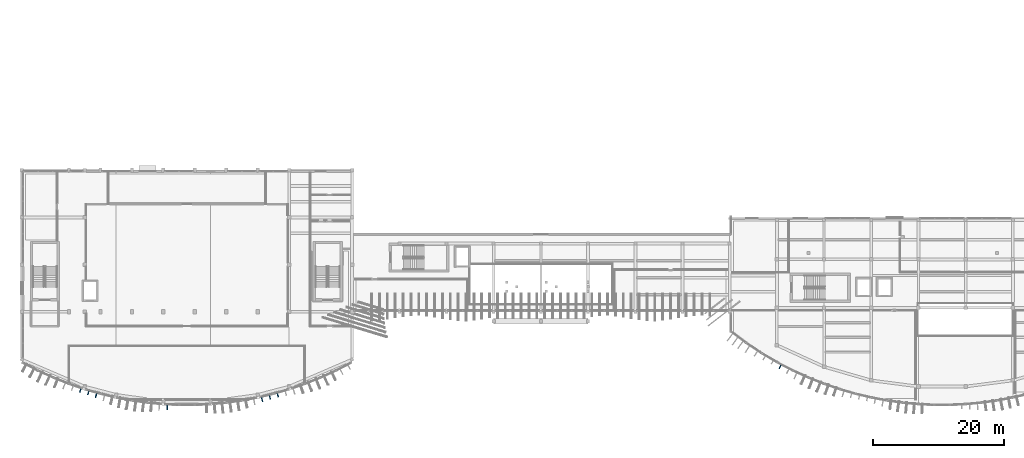
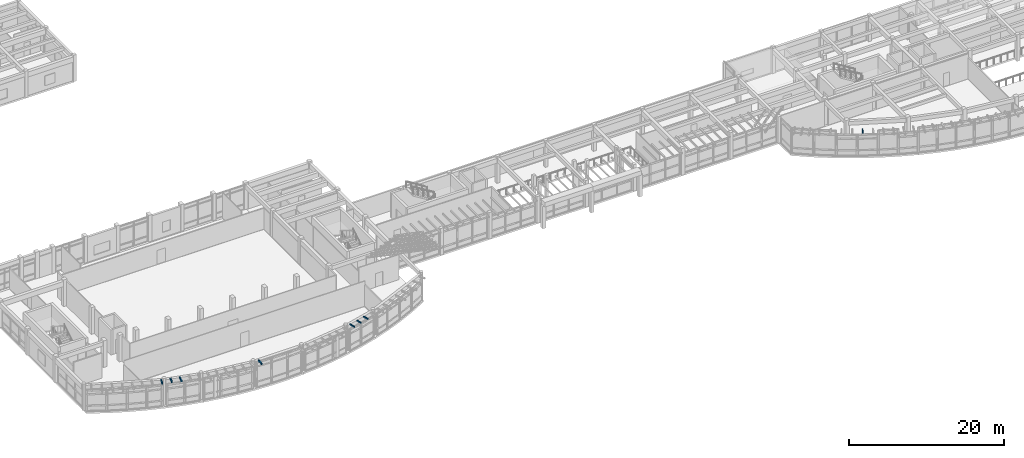
# One storey, part 47 of 60: 8 discrete accessories.
"""IFC4 building model written with IfcOpenShell, lengths in metres."""

from ifc_helpers import new_model, si_unit, direction, frame, origin, origin_2d, place, context, subcontext, project, spatial, rectangle, extrude, material, type_object, element, save


model = new_model("IFC4")

# Units and contexts
model_context = context("Model", 3, precision=1e-05, world=origin(), true_north=direction((0.0, 1.0)))
body_context = subcontext(model_context, "Body", "Model", "MODEL_VIEW")
ifc_project = project(units=[si_unit("LENGTHUNIT", "METRE"), si_unit("AREAUNIT", "SQUARE_METRE"), si_unit("VOLUMEUNIT", "CUBIC_METRE"), si_unit("PLANEANGLEUNIT", "RADIAN"), si_unit("MASSUNIT", "GRAM", prefix="KILO")], contexts=[model_context])

# Site, building, storey
site_placement = place(None, origin())
site = spatial("IfcSite", under=ifc_project, at=site_placement, CompositionType="ELEMENT")
building_placement = place(site_placement, origin())
building = spatial("IfcBuilding", under=site, at=building_placement, Name="Brisavento Harbour Community Centre", CompositionType="ELEMENT")
storey_placement = place(building_placement, frame((0.0, 0.0, 4.5)))
storey = spatial("IfcBuildingStorey", under=building, at=storey_placement, Name="L01", CompositionType="ELEMENT", Elevation=4.5)

# Discrete accessories
ifc_material = material(Name="Stainless steel 1.4401", Category="steel")
discrete_accessory_type = type_object("IfcDiscreteAccessoryType", Name="BRK-FIN-SS", PredefinedType="BRACKET", material=ifc_material)
discrete_accessory_1_placement = place(storey_placement, frame((8.96484375, 2.4970703125, 3.97998046875), z_axis=(0.0, 0.0, 1.0), x_axis=(-0.323174264667, -0.94633947115, 0.0)))
element("IfcDiscreteAccessory", 1, at=discrete_accessory_1_placement, inside=storey, type_object=discrete_accessory_type, Name="Stainless-steel storm-fin bracket 008.3", PredefinedType="BRACKET", context=body_context, shape_type="SweptSolid", body=[
    extrude(rectangle(XDim=0.817626953125, YDim=0.139892578125, at=origin_2d()), origin(), (0.0, 0.0, 1.0), 0.199951171875),
])
discrete_accessory_2_placement = place(storey_placement, frame((10.174560546875, 2.134033203125, 3.97998046875), z_axis=(0.0, 0.0, 1.0), x_axis=(-0.276996031628, -0.96087106235, 0.0)))
element("IfcDiscreteAccessory", 2, at=discrete_accessory_2_placement, inside=storey, type_object=discrete_accessory_type, Name="Stainless-steel storm-fin bracket 009.3", PredefinedType="BRACKET", context=body_context, shape_type="SweptSolid", body=[
    extrude(rectangle(XDim=0.783203125, YDim=0.139892578125, at=origin_2d()), origin(), (0.0, 0.0, 1.0), 0.199951171875),
])
discrete_accessory_3_placement = place(storey_placement, frame((11.3623046875, 1.74560546875, 3.97998046875), z_axis=(0.0, 0.0, 1.0), x_axis=(-0.276996031628, -0.96087106235, 0.0)))
element("IfcDiscreteAccessory", 3, at=discrete_accessory_3_placement, inside=storey, type_object=discrete_accessory_type, Name="Stainless-steel storm-fin bracket 010.3", PredefinedType="BRACKET", context=body_context, shape_type="SweptSolid", body=[
    extrude(rectangle(XDim=0.8720703125, YDim=0.139892578125, at=origin_2d()), origin(), (0.0, 0.0, 1.0), 0.199951171875),
])
discrete_accessory_4_placement = place(storey_placement, frame((22.192626953125, -0.0615234375, 3.97998046875), z_axis=(0.0, 0.0, 1.0), x_axis=(-0.0461649984, -0.9989338281, 0.0)))
element("IfcDiscreteAccessory", 4, at=discrete_accessory_4_placement, inside=storey, type_object=discrete_accessory_type, Name="Stainless-steel storm-fin bracket 019.3", PredefinedType="BRACKET", context=body_context, shape_type="SweptSolid", body=[
    extrude(rectangle(XDim=0.917236328125, YDim=0.139892578125, at=origin_2d()), origin(), (0.0, 0.0, 1.0), 0.199951171875),
])
discrete_accessory_5_placement = place(storey_placement, frame((36.63525390625, 1.128173828125, 3.97998046875), z_axis=(0.0, 0.0, 1.0), x_axis=(0.230830981037, -0.972993863389, 0.0)))
element("IfcDiscreteAccessory", 5, at=discrete_accessory_5_placement, inside=storey, type_object=discrete_accessory_type, Name="Stainless-steel storm-fin bracket 027.3", PredefinedType="BRACKET", context=body_context, shape_type="SweptSolid", body=[
    extrude(rectangle(XDim=0.904541015625, YDim=0.139892578125, at=origin_2d()), origin(), (0.0, 0.0, 1.0), 0.199951171875),
])
discrete_accessory_6_placement = place(storey_placement, frame((37.822265625, 1.467041015625, 3.97998046875), z_axis=(0.0, 0.0, 1.0), x_axis=(0.230830981037, -0.972993863389, 0.0)))
element("IfcDiscreteAccessory", 6, at=discrete_accessory_6_placement, inside=storey, type_object=discrete_accessory_type, Name="Stainless-steel storm-fin bracket 028.3", PredefinedType="BRACKET", context=body_context, shape_type="SweptSolid", body=[
    extrude(rectangle(XDim=0.79296875, YDim=0.139892578125, at=origin_2d()), origin(), (0.0, 0.0, 1.0), 0.199951171875),
])
discrete_accessory_7_placement = place(storey_placement, frame((39.02734375, 1.781005859375, 3.97998046875), z_axis=(0.0, 0.0, 1.0), x_axis=(0.276996031628, -0.96087106235, 0.0)))
element("IfcDiscreteAccessory", 7, at=discrete_accessory_7_placement, inside=storey, type_object=discrete_accessory_type, Name="Stainless-steel storm-fin bracket 029.3", PredefinedType="BRACKET", context=body_context, shape_type="SweptSolid", body=[
    extrude(rectangle(XDim=0.79833984375, YDim=0.139892578125, at=origin_2d()), origin(), (0.0, 0.0, 1.0), 0.199951171875),
])
discrete_accessory_8_placement = place(storey_placement, frame((115.7509765625, 6.107666015625, 3.97998046875), z_axis=(0.0, 0.0, 1.0), x_axis=(-0.461702168823, -0.887035009063, 0.0)))
element("IfcDiscreteAccessory", 8, at=discrete_accessory_8_placement, inside=storey, type_object=discrete_accessory_type, Name="Stainless-steel storm-fin bracket 100.3", PredefinedType="BRACKET", context=body_context, shape_type="SweptSolid", body=[
    extrude(rectangle(XDim=0.812255859375, YDim=0.139892578125, at=origin_2d()), origin(), (0.0, 0.0, 1.0), 0.199951171875),
])

save(model, "model.ifc")
